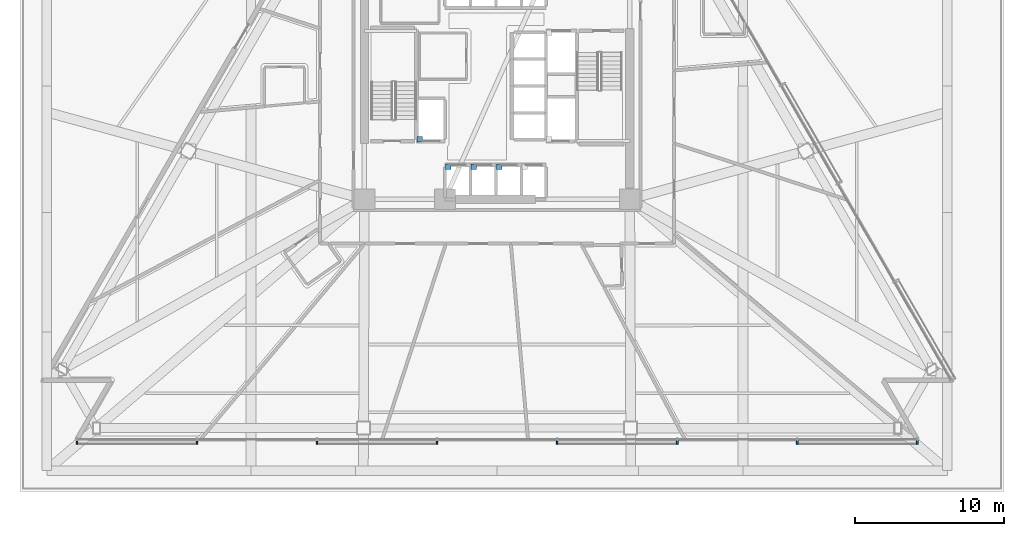
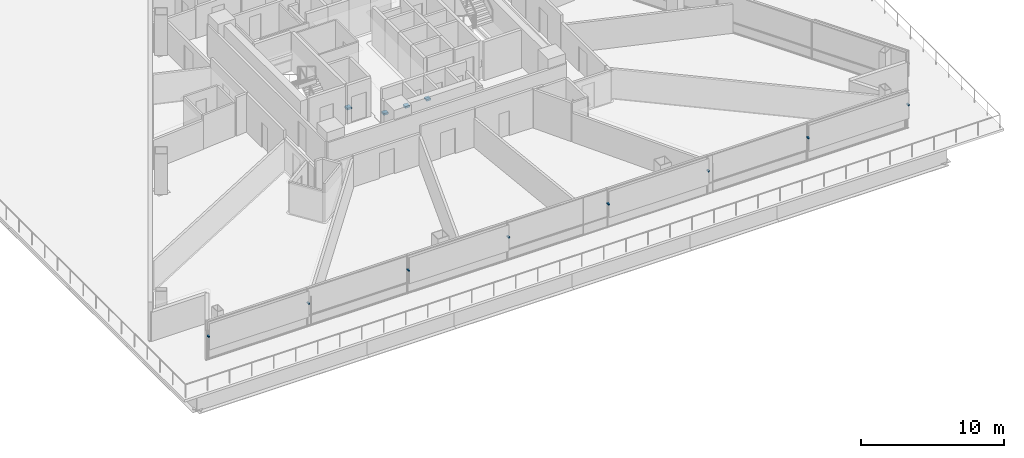
# One storey, part 13 of 19: 12 discrete accessories.
"""IFC4 building model written with IfcOpenShell, lengths in metres."""

from ifc_helpers import new_model, si_unit, direction, frame, origin, origin_2d, place, context, subcontext, project, spatial, rectangle, extrude, material, type_object, element, save


model = new_model("IFC4")

# Units and contexts
model_context = context("Model", 3, precision=1e-05, world=origin(), true_north=direction((0.0, 1.0)))
body_context = subcontext(model_context, "Body", "Model", "MODEL_VIEW")
ifc_project = project(units=[si_unit("LENGTHUNIT", "METRE"), si_unit("AREAUNIT", "SQUARE_METRE"), si_unit("VOLUMEUNIT", "CUBIC_METRE"), si_unit("PLANEANGLEUNIT", "RADIAN"), si_unit("MASSUNIT", "GRAM", prefix="KILO")], contexts=[model_context])

# Site, building, storey
site_placement = place(None, origin())
site = spatial("IfcSite", under=ifc_project, at=site_placement, CompositionType="ELEMENT")
building_placement = place(site_placement, origin())
building = spatial("IfcBuilding", under=site, at=building_placement, Name="Tharavind Bronze Gate", CompositionType="ELEMENT")
storey_placement = place(building_placement, frame((0.0, 0.0, 31.800048828125)))
storey = spatial("IfcBuildingStorey", under=building, at=storey_placement, Name="L06", CompositionType="ELEMENT", Elevation=31.800048828125)

# Discrete accessories
ifc_material_1 = material(Name="Galvanised Steel S355", Category="steel")
discrete_accessory_type_1 = type_object("IfcDiscreteAccessoryType", Name="LIFT GUIDE RAIL BRACKET", PredefinedType="BRACKET", material=ifc_material_1)
for number, where, z_axis, x_axis, name in (
    (1, (-3.280029296875, -5.419921875, 1.1201171875), (0.0, 0.0, 1.0), (1.0, 0.0, 0.0), "Lift PL1 guide rail bracket at L06"),
    (2, (-1.5673828125, -5.419921875, 1.1201171875), (0.0, 0.0, 1.0), (1.0, 0.0, 0.0), "Lift PL2 guide rail bracket at L06"),
    (3, (0.14501953125, -5.419921875, 1.1201171875), (0.0, 0.0, 1.0), (1.0, 0.0, 0.0), "Lift PL3 guide rail bracket at L06"),
    (4, (-5.179931640625, -3.580078125, 1.1201171875), (0.0, 0.0, 1.0), (1.0, 0.0, 0.0), "Lift FFL1 guide rail bracket at L06"),
):
    element("IfcDiscreteAccessory", number, at=place(storey_placement, frame(where, z_axis=z_axis, x_axis=x_axis)), inside=storey, type_object=discrete_accessory_type_1, Name=name, PredefinedType="BRACKET", context=body_context, shape_type="SweptSolid", body=[
        extrude(rectangle(XDim=0.360107421875, YDim=0.360107421875, at=origin_2d()), origin(), (0.0, 0.0, 1.0), 0.159912109375),
    ])
ifc_material_2 = material(Name="Stainless Steel 316", Category="steel")
discrete_accessory_type_2 = type_object("IfcDiscreteAccessoryType", Name="SOLAR SCREEN STANDOFF BRACKET", PredefinedType="BRACKET", material=ifc_material_2)
for number, where, z_axis, x_axis, name in (
    (5, (-28.17578125, -23.89990234375, 2.02734375), (0.0, 0.0, 1.0), (1.0, 0.0, 0.0), "CW-L06-S2 solar screen bracket 1.1"),
    (6, (-20.12548828125, -23.89990234375, 2.02734375), (0.0, 0.0, 1.0), (1.0, 0.0, 0.0), "CW-L06-S2 solar screen bracket 1.2"),
    (7, (-12.0751953125, -23.89990234375, 2.02734375), (0.0, 0.0, 1.0), (1.0, 0.0, 0.0), "CW-L06-S2 solar screen bracket 3.1"),
    (8, (-4.025146484375, -23.89990234375, 2.02734375), (0.0, 0.0, 1.0), (1.0, 0.0, 0.0), "CW-L06-S2 solar screen bracket 3.2"),
    (9, (4.025146484375, -23.89990234375, 2.02734375), (0.0, 0.0, 1.0), (1.0, 0.0, 0.0), "CW-L06-S2 solar screen bracket 5.1"),
    (10, (12.0751953125, -23.89990234375, 2.02734375), (0.0, 0.0, 1.0), (1.0, 0.0, 0.0), "CW-L06-S2 solar screen bracket 5.2"),
    (11, (20.12548828125, -23.89990234375, 2.02734375), (0.0, 0.0, 1.0), (1.0, 0.0, 0.0), "CW-L06-S2 solar screen bracket 7.1"),
    (12, (28.17578125, -23.89990234375, 2.02734375), (0.0, 0.0, 1.0), (1.0, 0.0, 0.0), "CW-L06-S2 solar screen bracket 7.2"),
):
    element("IfcDiscreteAccessory", number, at=place(storey_placement, frame(where, z_axis=z_axis, x_axis=x_axis)), inside=storey, type_object=discrete_accessory_type_2, Name=name, PredefinedType="BRACKET", context=body_context, shape_type="SweptSolid", body=[
        extrude(rectangle(XDim=0.1201171875, YDim=0.239990234375, at=origin_2d()), origin(), (0.0, 0.0, 1.0), 0.1201171875),
    ])

save(model, "model.ifc")
